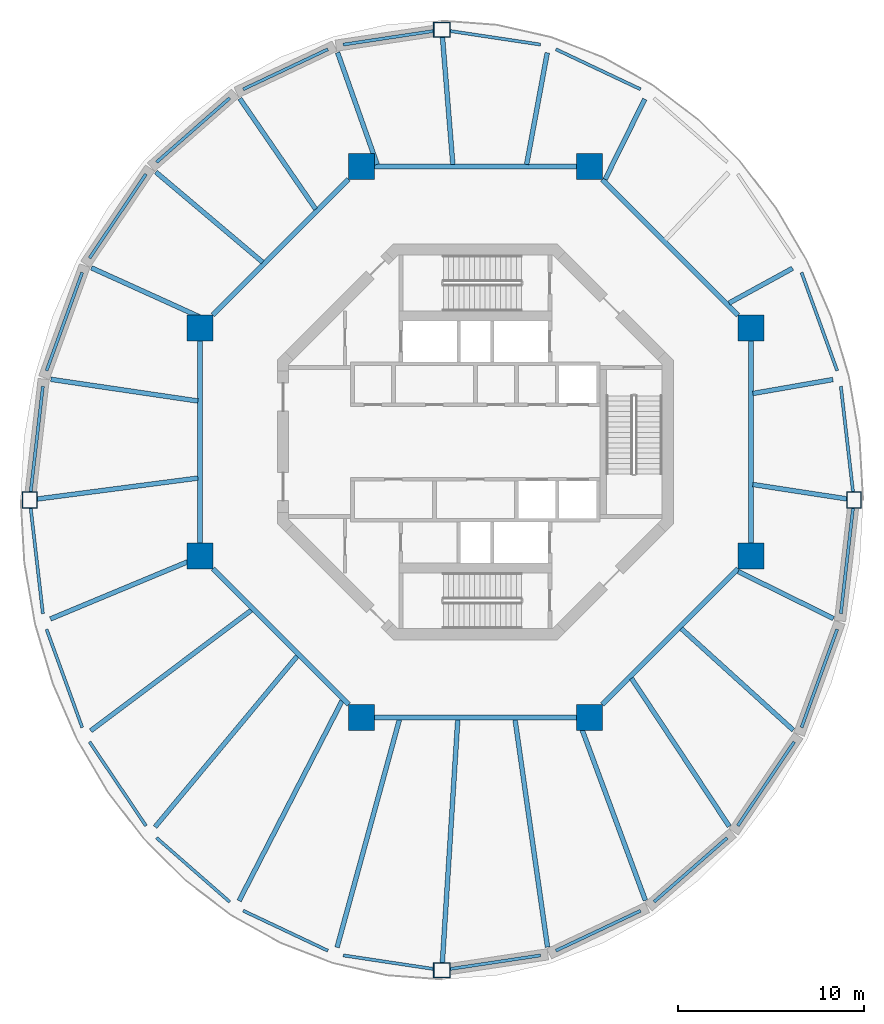
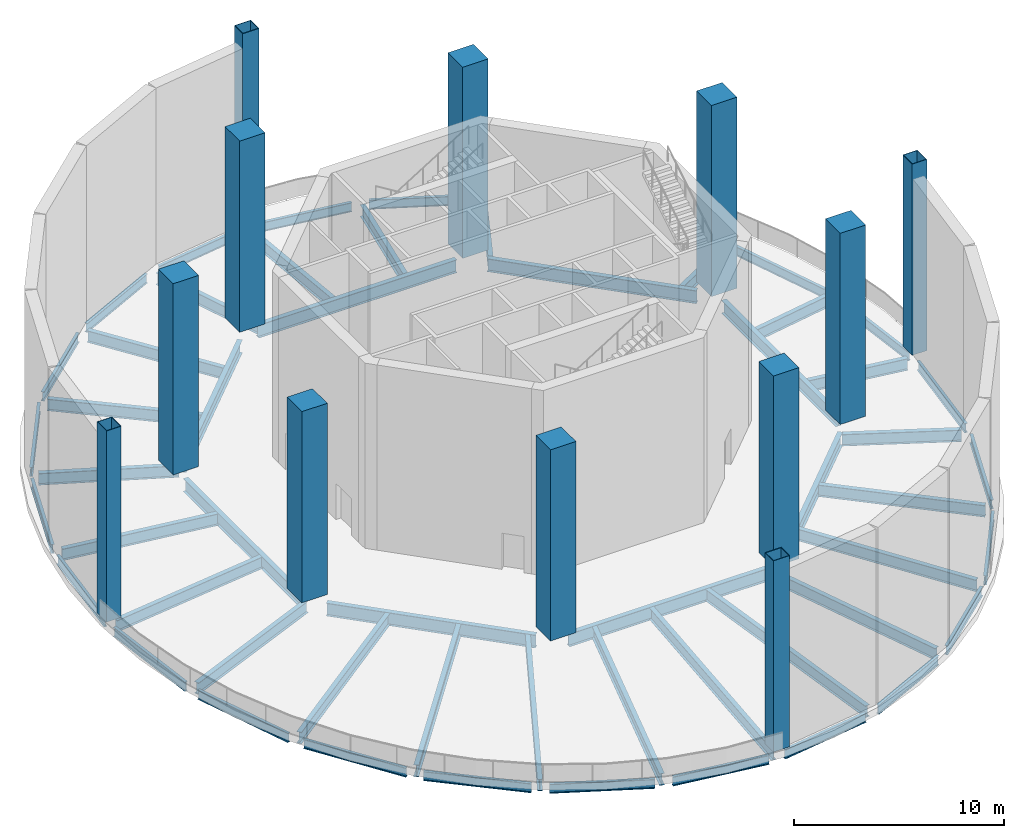
# One storey, part 1 of 7: 53 beams, 12 columns.
"""IFC4 building model written with IfcOpenShell, lengths in metres."""

from ifc_helpers import new_model, si_unit, direction, frame, origin, origin_2d, place, context, subcontext, project, spatial, rectangle, hollow_rectangle, i_section, extrude, material, material_profile, profile_set, type_object, element, save


model = new_model("IFC4")

# Units and contexts
model_context = context("Model", 3, precision=1e-05, world=origin(), true_north=direction((0.0, 1.0)))
body_context = subcontext(model_context, "Body", "Model", "MODEL_VIEW")
ifc_project = project(units=[si_unit("LENGTHUNIT", "METRE"), si_unit("AREAUNIT", "SQUARE_METRE"), si_unit("VOLUMEUNIT", "CUBIC_METRE"), si_unit("PLANEANGLEUNIT", "RADIAN"), si_unit("MASSUNIT", "GRAM", prefix="KILO")], contexts=[model_context])

# Site, building, storey
site_placement = place(None, origin())
site = spatial("IfcSite", under=ifc_project, at=site_placement, CompositionType="ELEMENT")
building_placement = place(site_placement, origin())
building = spatial("IfcBuilding", under=site, at=building_placement, Name="Nagisa Residences", CompositionType="ELEMENT")
storey_placement = place(building_placement, frame((0.0, 0.0, 299.199951171875)))
storey = spatial("IfcBuildingStorey", under=building, at=storey_placement, Name="L76", CompositionType="ELEMENT", Elevation=299.199951171875)

# Columns
ifc_material_1 = material(Name="Concrete C80", Category="concrete")
ifc_material_profile_1 = material_profile(ifc_material_1, rectangle(XDim=1.39990234375, YDim=1.39990234375, at=origin_2d()), Name="C80 1400x1400")
ifc_profile_set_1 = profile_set([ifc_material_profile_1], Name="Concrete C80")
column_type_1 = type_object("IfcColumnType", Name="Inner megacolumn C80 1400x1400", PredefinedType="COLUMN", material=ifc_profile_set_1)
for number, where, z_axis, x_axis, name in (
    (1, (14.781982421875, 6.123046875, 0.0), (0.0, 0.0, 1.0), (1.0, 0.0, 0.0), "col:L76:i1"),
    (2, (6.123046875, 14.781982421875, 0.0), (0.0, 0.0, 1.0), (1.0, 0.0, 0.0), "col:L76:i2"),
    (3, (-6.123046875, 14.781982421875, 0.0), (0.0, 0.0, 1.0), (1.0, 0.0, 0.0), "col:L76:i3"),
    (4, (-14.781982421875, 6.123046875, 0.0), (0.0, 0.0, 1.0), (1.0, 0.0, 0.0), "col:L76:i4"),
    (5, (-14.781982421875, -6.123046875, 0.0), (0.0, 0.0, 1.0), (1.0, 0.0, 0.0), "col:L76:i5"),
    (6, (-6.123046875, -14.781982421875, 0.0), (0.0, 0.0, 1.0), (1.0, 0.0, 0.0), "col:L76:i6"),
    (7, (6.123046875, -14.781982421875, 0.0), (0.0, 0.0, 1.0), (1.0, 0.0, 0.0), "col:L76:i7"),
    (8, (14.781982421875, -6.123046875, 0.0), (0.0, 0.0, 1.0), (1.0, 0.0, 0.0), "col:L76:i8"),
):
    element("IfcColumn", number, at=place(storey_placement, frame(where, z_axis=z_axis, x_axis=x_axis)), inside=storey, type_object=column_type_1, Name=name, PredefinedType="COLUMN", context=body_context, shape_type="SweptSolid", body=[
        extrude(rectangle(XDim=1.39990234375, YDim=1.39990234375, at=origin_2d()), origin(), (0.0, 0.0, 1.0), 11.10009765625),
    ])
ifc_material_2 = material(Name="Steel ASTM A572 Gr 50", Category="steel")
ifc_material_profile_2 = material_profile(ifc_material_2, hollow_rectangle(XDim=0.89990234375, YDim=0.800048828125, WallThickness=0.028076171875, at=origin_2d()), Name="BX 900x800x28")
ifc_profile_set_2 = profile_set([ifc_material_profile_2], Name="Steel ASTM A572 Gr 50")
column_type_2 = type_object("IfcColumnType", Name="Perimeter column BX 900x800x28", PredefinedType="COLUMN", material=ifc_profile_set_2)
for number, where, z_axis, x_axis, name in (
    (9, (20.320068359375, -3.11767578125, 0.0), (0.0, 0.0, 1.0), (0.0, 1.0, 0.0), "col:L76:p00"),
    (10, (-1.800048828125, 22.122314453125, 0.0), (0.0, 0.0, 1.0), (-1.0, 0.0, 0.0), "col:L76:p06"),
    (11, (-23.919921875, -3.11767578125, 0.0), (0.0, 0.0, 1.0), (0.0, -1.0, 0.0), "col:L76:p12"),
    (12, (-1.800048828125, -28.357666015625, 0.0), (0.0, 0.0, 1.0), (1.0, 0.0, 0.0), "col:L76:p18"),
):
    element("IfcColumn", number, at=place(storey_placement, frame(where, z_axis=z_axis, x_axis=x_axis)), inside=storey, type_object=column_type_2, Name=name, PredefinedType="COLUMN", context=body_context, shape_type="SweptSolid", body=[
        extrude(hollow_rectangle(XDim=0.89990234375, YDim=0.800048828125, WallThickness=0.028076171875, at=origin_2d()), origin(), (0.0, 0.0, 1.0), 11.10009765625),
    ])

# Beams
ifc_material_3 = material(Name="Steel ASTM A572 Gr 50", Category="steel")
ifc_material_profile_3 = material_profile(ifc_material_3, i_section(OverallWidth=0.264892578125, OverallDepth=0.7529296875, WebThickness=0.01318359375, FlangeThickness=0.01708984375, at=origin_2d()), Name="W760x147")
ifc_profile_set_3 = profile_set([ifc_material_profile_3], Name="Steel ASTM A572 Gr 50")
beam_type_1 = type_object("IfcBeamType", Name="Inner ring beam W760x147", PredefinedType="BEAM", material=ifc_profile_set_3)
beam_1_placement = place(storey_placement, frame((14.09619140625, 6.808837890625, -0.79638671875), z_axis=(-0.707106781187, 0.707106781187, 0.0), x_axis=(-0.707106781187, -0.707106781187, 0.0)))
element("IfcBeam", 13, at=beam_1_placement, inside=storey, type_object=beam_type_1, Name="beam:L76:ib1", PredefinedType="BEAM", context=body_context, shape_type="SweptSolid", body=[
    extrude(i_section(OverallWidth=0.264892578125, OverallDepth=0.7529296875, WebThickness=0.01318359375, FlangeThickness=0.01708984375, at=origin_2d()), origin(), (0.0, 0.0, 1.0), 10.305908203125),
])
beam_2_placement = place(storey_placement, frame((5.44287109375, 14.781982421875, -0.79638671875), z_axis=(-1.0, 0.0, 0.0), x_axis=(0.0, -1.0, 0.0)))
element("IfcBeam", 14, at=beam_2_placement, inside=storey, type_object=beam_type_1, Name="beam:L76:ib2", PredefinedType="BEAM", context=body_context, shape_type="SweptSolid", body=[
    extrude(i_section(OverallWidth=0.264892578125, OverallDepth=0.7529296875, WebThickness=0.01318359375, FlangeThickness=0.01708984375, at=origin_2d()), origin(), (0.0, 0.0, 1.0), 10.8857421875),
])
beam_3_placement = place(storey_placement, frame((-6.808837890625, 14.09619140625, -0.79638671875), z_axis=(-0.707106781187, -0.707106781187, 0.0), x_axis=(0.707106781187, -0.707106781187, 0.0)))
element("IfcBeam", 15, at=beam_3_placement, inside=storey, type_object=beam_type_1, Name="beam:L76:ib3", PredefinedType="BEAM", context=body_context, shape_type="SweptSolid", body=[
    extrude(i_section(OverallWidth=0.264892578125, OverallDepth=0.7529296875, WebThickness=0.01318359375, FlangeThickness=0.01708984375, at=origin_2d()), origin(), (0.0, 0.0, 1.0), 10.305908203125),
])
beam_4_placement = place(storey_placement, frame((-14.781982421875, 5.44287109375, -0.79638671875), z_axis=(0.0, -1.0, 0.0), x_axis=(1.0, 0.0, 0.0)))
element("IfcBeam", 16, at=beam_4_placement, inside=storey, type_object=beam_type_1, Name="beam:L76:ib4", PredefinedType="BEAM", context=body_context, shape_type="SweptSolid", body=[
    extrude(i_section(OverallWidth=0.264892578125, OverallDepth=0.7529296875, WebThickness=0.01318359375, FlangeThickness=0.01708984375, at=origin_2d()), origin(), (0.0, 0.0, 1.0), 10.8857421875),
])
beam_5_placement = place(storey_placement, frame((-14.09619140625, -6.808837890625, -0.79638671875), z_axis=(0.707106781187, -0.707106781187, 0.0), x_axis=(0.707106781187, 0.707106781187, 0.0)))
element("IfcBeam", 17, at=beam_5_placement, inside=storey, type_object=beam_type_1, Name="beam:L76:ib5", PredefinedType="BEAM", context=body_context, shape_type="SweptSolid", body=[
    extrude(i_section(OverallWidth=0.264892578125, OverallDepth=0.7529296875, WebThickness=0.01318359375, FlangeThickness=0.01708984375, at=origin_2d()), origin(), (0.0, 0.0, 1.0), 10.305908203125),
])
beam_6_placement = place(storey_placement, frame((-5.44287109375, -14.781982421875, -0.79638671875), z_axis=(1.0, 0.0, 0.0), x_axis=(0.0, 1.0, 0.0)))
element("IfcBeam", 18, at=beam_6_placement, inside=storey, type_object=beam_type_1, Name="beam:L76:ib6", PredefinedType="BEAM", context=body_context, shape_type="SweptSolid", body=[
    extrude(i_section(OverallWidth=0.264892578125, OverallDepth=0.7529296875, WebThickness=0.01318359375, FlangeThickness=0.01708984375, at=origin_2d()), origin(), (0.0, 0.0, 1.0), 10.8857421875),
])
beam_7_placement = place(storey_placement, frame((6.808837890625, -14.09619140625, -0.79638671875), z_axis=(0.707106781187, 0.707106781187, 0.0), x_axis=(-0.707106781187, 0.707106781187, 0.0)))
element("IfcBeam", 19, at=beam_7_placement, inside=storey, type_object=beam_type_1, Name="beam:L76:ib7", PredefinedType="BEAM", context=body_context, shape_type="SweptSolid", body=[
    extrude(i_section(OverallWidth=0.264892578125, OverallDepth=0.7529296875, WebThickness=0.01318359375, FlangeThickness=0.01708984375, at=origin_2d()), origin(), (0.0, 0.0, 1.0), 10.305908203125),
])
beam_8_placement = place(storey_placement, frame((14.781982421875, -5.44287109375, -0.79638671875), z_axis=(0.0, 1.0, 0.0), x_axis=(-1.0, 0.0, 0.0)))
element("IfcBeam", 20, at=beam_8_placement, inside=storey, type_object=beam_type_1, Name="beam:L76:ib8", PredefinedType="BEAM", context=body_context, shape_type="SweptSolid", body=[
    extrude(i_section(OverallWidth=0.264892578125, OverallDepth=0.7529296875, WebThickness=0.01318359375, FlangeThickness=0.01708984375, at=origin_2d()), origin(), (0.0, 0.0, 1.0), 10.8857421875),
])
ifc_material_4 = material(Name="Steel ASTM A572 Gr 50", Category="steel")
ifc_material_profile_4 = material_profile(ifc_material_4, i_section(OverallWidth=0.166015625, OverallDepth=0.534912109375, WebThickness=0.01025390625, FlangeThickness=0.0166015625, at=origin_2d()), Name="W530x85")
ifc_profile_set_4 = profile_set([ifc_material_profile_4], Name="Steel ASTM A572 Gr 50")
beam_type_2 = type_object("IfcBeamType", Name="Perimeter ring beam W530x85", PredefinedType="BEAM", material=ifc_profile_set_4)
beam_9_placement = place(storey_placement, frame((20.270263671875, -2.6875, -0.6875), z_axis=(-0.114593271741, 0.993412493414, 0.0), x_axis=(-0.993412493414, -0.114593271741, 0.0)))
element("IfcBeam", 21, at=beam_9_placement, inside=storey, type_object=beam_type_2, Name="beam:L76:pb01", PredefinedType="BEAM", context=body_context, shape_type="SweptSolid", body=[
    extrude(i_section(OverallWidth=0.166015625, OverallDepth=0.534912109375, WebThickness=0.01025390625, FlangeThickness=0.0166015625, at=origin_2d()), origin(), (0.0, 0.0, 1.0), 5.709716796875),
])
beam_10_placement = place(storey_placement, frame((19.41845703125, 3.822021484375, -0.6875), z_axis=(-0.341211850477, 0.93998642176, 0.0), x_axis=(-0.93998642176, -0.341211850477, 0.0)))
element("IfcBeam", 22, at=beam_10_placement, inside=storey, type_object=beam_type_2, Name="beam:L76:pb02", PredefinedType="BEAM", context=body_context, shape_type="SweptSolid", body=[
    extrude(i_section(OverallWidth=0.166015625, OverallDepth=0.534912109375, WebThickness=0.01025390625, FlangeThickness=0.0166015625, at=origin_2d()), origin(), (0.0, 0.0, 1.0), 5.609619140625),
])
beam_11_placement = place(storey_placement, frame((8.8671875, 18.926513671875, -0.6875), z_axis=(-0.904115893837, 0.427287316113, 0.0), x_axis=(-0.427287316113, -0.904115893837, 0.0)))
element("IfcBeam", 23, at=beam_11_placement, inside=storey, type_object=beam_type_2, Name="beam:L76:pb05", PredefinedType="BEAM", context=body_context, shape_type="SweptSolid", body=[
    extrude(i_section(OverallWidth=0.166015625, OverallDepth=0.534912109375, WebThickness=0.01025390625, FlangeThickness=0.0166015625, at=origin_2d()), origin(), (0.0, 0.0, 1.0), 5.031494140625),
])
beam_12_placement = place(storey_placement, frame((3.4951171875, 21.326904296875, -0.6875), z_axis=(-0.988907577601, 0.148532161377, 0.0), x_axis=(-0.148532161377, -0.988907577601, 0.0)))
element("IfcBeam", 24, at=beam_12_placement, inside=storey, type_object=beam_type_2, Name="beam:L76:pb06", PredefinedType="BEAM", context=body_context, shape_type="SweptSolid", body=[
    extrude(i_section(OverallWidth=0.166015625, OverallDepth=0.534912109375, WebThickness=0.01025390625, FlangeThickness=0.0166015625, at=origin_2d()), origin(), (0.0, 0.0, 1.0), 4.919677734375),
])
beam_13_placement = place(storey_placement, frame((-2.230224609375, 22.0576171875, -0.6875), z_axis=(-0.98890648267, -0.148539451101, 0.0), x_axis=(0.148539451101, -0.98890648267, 0.0)))
element("IfcBeam", 25, at=beam_13_placement, inside=storey, type_object=beam_type_2, Name="beam:L76:pb07", PredefinedType="BEAM", context=body_context, shape_type="SweptSolid", body=[
    extrude(i_section(OverallWidth=0.166015625, OverallDepth=0.534912109375, WebThickness=0.01025390625, FlangeThickness=0.0166015625, at=origin_2d()), origin(), (0.0, 0.0, 1.0), 4.91943359375),
])
beam_14_placement = place(storey_placement, frame((-7.918212890625, 21.076416015625, -0.6875), z_axis=(-0.904115893837, -0.427287316113, 0.0), x_axis=(0.427287316113, -0.904115893837, 0.0)))
element("IfcBeam", 26, at=beam_14_placement, inside=storey, type_object=beam_type_2, Name="beam:L76:pb08", PredefinedType="BEAM", context=body_context, shape_type="SweptSolid", body=[
    extrude(i_section(OverallWidth=0.166015625, OverallDepth=0.534912109375, WebThickness=0.01025390625, FlangeThickness=0.0166015625, at=origin_2d()), origin(), (0.0, 0.0, 1.0), 5.031494140625),
])
beam_15_placement = place(storey_placement, frame((-13.186767578125, 18.45458984375, -0.6875), z_axis=(-0.752365189148, -0.658746250204, 0.0), x_axis=(0.658746250204, -0.752365189148, 0.0)))
element("IfcBeam", 27, at=beam_15_placement, inside=storey, type_object=beam_type_2, Name="beam:L76:pb09", PredefinedType="BEAM", context=body_context, shape_type="SweptSolid", body=[
    extrude(i_section(OverallWidth=0.166015625, OverallDepth=0.534912109375, WebThickness=0.01025390625, FlangeThickness=0.0166015625, at=origin_2d()), origin(), (0.0, 0.0, 1.0), 5.220947265625),
])
beam_16_placement = place(storey_placement, frame((-17.683349609375, 14.36962890625, -0.6875), z_axis=(-0.558035477156, -0.829817092036, 0.0), x_axis=(0.829817092036, -0.558035477156, 0.0)))
element("IfcBeam", 28, at=beam_16_placement, inside=storey, type_object=beam_type_2, Name="beam:L76:pb10", PredefinedType="BEAM", context=body_context, shape_type="SweptSolid", body=[
    extrude(i_section(OverallWidth=0.166015625, OverallDepth=0.534912109375, WebThickness=0.01025390625, FlangeThickness=0.0166015625, at=origin_2d()), origin(), (0.0, 0.0, 1.0), 5.431884765625),
])
beam_17_placement = place(storey_placement, frame((-21.104248046875, 9.094970703125, -0.6875), z_axis=(-0.341250304478, -0.9399724622, 0.0), x_axis=(0.9399724622, -0.341250304478, 0.0)))
element("IfcBeam", 29, at=beam_17_placement, inside=storey, type_object=beam_type_2, Name="beam:L76:pb11", PredefinedType="BEAM", context=body_context, shape_type="SweptSolid", body=[
    extrude(i_section(OverallWidth=0.166015625, OverallDepth=0.534912109375, WebThickness=0.01025390625, FlangeThickness=0.0166015625, at=origin_2d()), origin(), (0.0, 0.0, 1.0), 5.609619140625),
])
for number, where, z_axis, x_axis, name in (
    (30, (-23.2158203125, 2.984619140625, -0.6875), (-0.114635468623, -0.993407624962, 0.0), (0.993407624962, -0.114635468623, 0.0), "beam:L76:pb12"),
    (31, (-23.870361328125, -3.5478515625, -0.6875), (0.114635468623, -0.993407624962, 0.0), (0.993407624962, 0.114635468623, 0.0), "beam:L76:pb13"),
):
    element("IfcBeam", number, at=place(storey_placement, frame(where, z_axis=z_axis, x_axis=x_axis)), inside=storey, type_object=beam_type_2, Name=name, PredefinedType="BEAM", context=body_context, shape_type="SweptSolid", body=[
        extrude(i_section(OverallWidth=0.166015625, OverallDepth=0.534912109375, WebThickness=0.01025390625, FlangeThickness=0.0166015625, at=origin_2d()), origin(), (0.0, 0.0, 1.0), 5.709716796875),
    ])
beam_18_placement = place(storey_placement, frame((-23.0185546875, -10.057373046875, -0.6875), z_axis=(0.341250304478, -0.9399724622, 0.0), x_axis=(0.9399724622, 0.341250304478, 0.0)))
element("IfcBeam", 32, at=beam_18_placement, inside=storey, type_object=beam_type_2, Name="beam:L76:pb14", PredefinedType="BEAM", context=body_context, shape_type="SweptSolid", body=[
    extrude(i_section(OverallWidth=0.166015625, OverallDepth=0.534912109375, WebThickness=0.01025390625, FlangeThickness=0.0166015625, at=origin_2d()), origin(), (0.0, 0.0, 1.0), 5.609619140625),
])
beam_19_placement = place(storey_placement, frame((-20.714599609375, -16.097412109375, -0.6875), z_axis=(0.558014665254, -0.829831087247, 0.0), x_axis=(0.829831087247, 0.558014665254, 0.0)))
element("IfcBeam", 33, at=beam_19_placement, inside=storey, type_object=beam_type_2, Name="beam:L76:pb15", PredefinedType="BEAM", context=body_context, shape_type="SweptSolid", body=[
    extrude(i_section(OverallWidth=0.166015625, OverallDepth=0.534912109375, WebThickness=0.01025390625, FlangeThickness=0.0166015625, at=origin_2d()), origin(), (0.0, 0.0, 1.0), 5.43212890625),
])
beam_20_placement = place(storey_placement, frame((-17.11474609375, -21.2509765625, -0.6875), z_axis=(0.752365189148, -0.658746250204, 0.0), x_axis=(0.658746250204, 0.752365189148, 0.0)))
element("IfcBeam", 34, at=beam_20_placement, inside=storey, type_object=beam_type_2, Name="beam:L76:pb16", PredefinedType="BEAM", context=body_context, shape_type="SweptSolid", body=[
    extrude(i_section(OverallWidth=0.166015625, OverallDepth=0.534912109375, WebThickness=0.01025390625, FlangeThickness=0.0166015625, at=origin_2d()), origin(), (0.0, 0.0, 1.0), 5.220947265625),
])
beam_21_placement = place(storey_placement, frame((-12.46728515625, -25.161865234375, -0.6875), z_axis=(0.904115893837, -0.427287316113, 0.0), x_axis=(0.427287316113, 0.904115893837, 0.0)))
element("IfcBeam", 35, at=beam_21_placement, inside=storey, type_object=beam_type_2, Name="beam:L76:pb17", PredefinedType="BEAM", context=body_context, shape_type="SweptSolid", body=[
    extrude(i_section(OverallWidth=0.166015625, OverallDepth=0.534912109375, WebThickness=0.01025390625, FlangeThickness=0.0166015625, at=origin_2d()), origin(), (0.0, 0.0, 1.0), 5.031494140625),
])
beam_22_placement = place(storey_placement, frame((-7.094970703125, -27.562255859375, -0.6875), z_axis=(0.98890648267, -0.148539451101, 0.0), x_axis=(0.148539451101, 0.98890648267, 0.0)))
element("IfcBeam", 36, at=beam_22_placement, inside=storey, type_object=beam_type_2, Name="beam:L76:pb18", PredefinedType="BEAM", context=body_context, shape_type="SweptSolid", body=[
    extrude(i_section(OverallWidth=0.166015625, OverallDepth=0.534912109375, WebThickness=0.01025390625, FlangeThickness=0.0166015625, at=origin_2d()), origin(), (0.0, 0.0, 1.0), 4.91943359375),
])
beam_23_placement = place(storey_placement, frame((-1.369873046875, -28.29296875, -0.6875), z_axis=(0.988907577601, 0.148532161377, 0.0), x_axis=(-0.148532161377, 0.988907577601, 0.0)))
element("IfcBeam", 37, at=beam_23_placement, inside=storey, type_object=beam_type_2, Name="beam:L76:pb19", PredefinedType="BEAM", context=body_context, shape_type="SweptSolid", body=[
    extrude(i_section(OverallWidth=0.166015625, OverallDepth=0.534912109375, WebThickness=0.01025390625, FlangeThickness=0.0166015625, at=origin_2d()), origin(), (0.0, 0.0, 1.0), 4.919677734375),
])
beam_24_placement = place(storey_placement, frame((4.318115234375, -27.311767578125, -0.6875), z_axis=(0.904115893837, 0.427287316113, 0.0), x_axis=(-0.427287316113, 0.904115893837, 0.0)))
element("IfcBeam", 38, at=beam_24_placement, inside=storey, type_object=beam_type_2, Name="beam:L76:pb20", PredefinedType="BEAM", context=body_context, shape_type="SweptSolid", body=[
    extrude(i_section(OverallWidth=0.166015625, OverallDepth=0.534912109375, WebThickness=0.01025390625, FlangeThickness=0.0166015625, at=origin_2d()), origin(), (0.0, 0.0, 1.0), 5.031494140625),
])
beam_25_placement = place(storey_placement, frame((9.586669921875, -24.690185546875, -0.6875), z_axis=(0.752385480596, 0.658723074279, 0.0), x_axis=(-0.658723074279, 0.752385480596, 0.0)))
element("IfcBeam", 39, at=beam_25_placement, inside=storey, type_object=beam_type_2, Name="beam:L76:pb21", PredefinedType="BEAM", context=body_context, shape_type="SweptSolid", body=[
    extrude(i_section(OverallWidth=0.166015625, OverallDepth=0.534912109375, WebThickness=0.01025390625, FlangeThickness=0.0166015625, at=origin_2d()), origin(), (0.0, 0.0, 1.0), 5.220947265625),
])
beam_26_placement = place(storey_placement, frame((14.083251953125, -20.605224609375, -0.6875), z_axis=(0.558045612854, 0.829810275891, 0.0), x_axis=(-0.829810275891, 0.558045612854, 0.0)))
element("IfcBeam", 40, at=beam_26_placement, inside=storey, type_object=beam_type_2, Name="beam:L76:pb22", PredefinedType="BEAM", context=body_context, shape_type="SweptSolid", body=[
    extrude(i_section(OverallWidth=0.166015625, OverallDepth=0.534912109375, WebThickness=0.01025390625, FlangeThickness=0.0166015625, at=origin_2d()), origin(), (0.0, 0.0, 1.0), 5.432373046875),
])
beam_27_placement = place(storey_placement, frame((17.50439453125, -15.330322265625, -0.6875), z_axis=(0.341211850477, 0.93998642176, 0.0), x_axis=(-0.93998642176, 0.341211850477, 0.0)))
element("IfcBeam", 41, at=beam_27_placement, inside=storey, type_object=beam_type_2, Name="beam:L76:pb23", PredefinedType="BEAM", context=body_context, shape_type="SweptSolid", body=[
    extrude(i_section(OverallWidth=0.166015625, OverallDepth=0.534912109375, WebThickness=0.01025390625, FlangeThickness=0.0166015625, at=origin_2d()), origin(), (0.0, 0.0, 1.0), 5.609619140625),
])
beam_28_placement = place(storey_placement, frame((19.615966796875, -9.219970703125, -0.6875), z_axis=(0.114593271741, 0.993412493414, 0.0), x_axis=(-0.993412493414, 0.114593271741, 0.0)))
element("IfcBeam", 42, at=beam_28_placement, inside=storey, type_object=beam_type_2, Name="beam:L76:pb24", PredefinedType="BEAM", context=body_context, shape_type="SweptSolid", body=[
    extrude(i_section(OverallWidth=0.166015625, OverallDepth=0.534912109375, WebThickness=0.01025390625, FlangeThickness=0.0166015625, at=origin_2d()), origin(), (0.0, 0.0, 1.0), 5.709716796875),
])
ifc_material_5 = material(Name="Steel ASTM A572 Gr 50", Category="steel")
ifc_material_profile_5 = material_profile(ifc_material_5, i_section(OverallWidth=0.2529296875, OverallDepth=0.677978515625, WebThickness=0.01171875, FlangeThickness=0.016357421875, at=origin_2d()), Name="W690x125")
ifc_profile_set_5 = profile_set([ifc_material_profile_5], Name="Steel ASTM A572 Gr 50")
beam_type_3 = type_object("IfcBeamType", Name="Radial beam W690x125", PredefinedType="BEAM", material=ifc_profile_set_5)
beam_29_placement = place(storey_placement, frame((19.939697265625, -3.059326171875, -0.759033203125), z_axis=(-0.988436859636, 0.151633025796, 0.0), x_axis=(-0.151633025796, -0.988436859636, 0.0)))
element("IfcBeam", 43, at=beam_29_placement, inside=storey, type_object=beam_type_3, Name="beam:L76:rb01", PredefinedType="BEAM", context=body_context, shape_type="SweptSolid", body=[
    extrude(i_section(OverallWidth=0.2529296875, OverallDepth=0.677978515625, WebThickness=0.01171875, FlangeThickness=0.016357421875, at=origin_2d()), origin(), (0.0, 0.0, 1.0), 5.10400390625),
])
beam_30_placement = place(storey_placement, frame((19.191162109375, 3.349365234375, -0.759033203125), z_axis=(-0.985112574837, -0.17191048513, 0.0), x_axis=(0.17191048513, -0.985112574837, 0.0)))
element("IfcBeam", 44, at=beam_30_placement, inside=storey, type_object=beam_type_3, Name="beam:L76:rb02", PredefinedType="BEAM", context=body_context, shape_type="SweptSolid", body=[
    extrude(i_section(OverallWidth=0.2529296875, OverallDepth=0.677978515625, WebThickness=0.01171875, FlangeThickness=0.016357421875, at=origin_2d()), origin(), (0.0, 0.0, 1.0), 4.361328125),
])
beam_31_placement = place(storey_placement, frame((17.02294921875, 9.31982421875, -0.759033203125), z_axis=(-0.877140982436, -0.480232961105, 0.0), x_axis=(0.480232961105, -0.877140982436, 0.0)))
element("IfcBeam", 45, at=beam_31_placement, inside=storey, type_object=beam_type_3, Name="beam:L76:rb03", PredefinedType="BEAM", context=body_context, shape_type="SweptSolid", body=[
    extrude(i_section(OverallWidth=0.2529296875, OverallDepth=0.677978515625, WebThickness=0.01171875, FlangeThickness=0.016357421875, at=origin_2d()), origin(), (0.0, 0.0, 1.0), 3.88818359375),
])
beam_32_placement = place(storey_placement, frame((9.09033203125, 18.3974609375, -0.759033203125), z_axis=(-0.442971854775, -0.896535518469, 0.0), x_axis=(0.896535518469, -0.442971854775, 0.0)))
element("IfcBeam", 46, at=beam_32_placement, inside=storey, type_object=beam_type_3, Name="beam:L76:rb05", PredefinedType="BEAM", context=body_context, shape_type="SweptSolid", body=[
    extrude(i_section(OverallWidth=0.2529296875, OverallDepth=0.677978515625, WebThickness=0.01171875, FlangeThickness=0.016357421875, at=origin_2d()), origin(), (0.0, 0.0, 1.0), 4.79443359375),
])
beam_33_placement = place(storey_placement, frame((3.855712890625, 20.885986328125, -0.759033203125), z_axis=(-0.181536747705, -0.983384161573, 0.0), x_axis=(0.983384161573, -0.181536747705, 0.0)))
element("IfcBeam", 47, at=beam_33_placement, inside=storey, type_object=beam_type_3, Name="beam:L76:rb06", PredefinedType="BEAM", context=body_context, shape_type="SweptSolid", body=[
    extrude(i_section(OverallWidth=0.2529296875, OverallDepth=0.677978515625, WebThickness=0.01171875, FlangeThickness=0.016357421875, at=origin_2d()), origin(), (0.0, 0.0, 1.0), 6.09228515625),
])
beam_34_placement = place(storey_placement, frame((-1.76904296875, 21.7421875, -0.759033203125), z_axis=(0.081092569965, -0.996706574222, 0.0), x_axis=(0.996706574222, 0.081092569965, 0.0)))
element("IfcBeam", 48, at=beam_34_placement, inside=storey, type_object=beam_type_3, Name="beam:L76:rb07", PredefinedType="BEAM", context=body_context, shape_type="SweptSolid", body=[
    extrude(i_section(OverallWidth=0.2529296875, OverallDepth=0.677978515625, WebThickness=0.01171875, FlangeThickness=0.016357421875, at=origin_2d()), origin(), (0.0, 0.0, 1.0), 6.870361328125),
])
beam_35_placement = place(storey_placement, frame((-7.398193359375, 20.903564453125, -0.759033203125), z_axis=(0.333665596208, -0.942691503042, 0.0), x_axis=(0.942691503042, 0.333665596208, 0.0)))
element("IfcBeam", 49, at=beam_35_placement, inside=storey, type_object=beam_type_3, Name="beam:L76:rb08", PredefinedType="BEAM", context=body_context, shape_type="SweptSolid", body=[
    extrude(i_section(OverallWidth=0.2529296875, OverallDepth=0.677978515625, WebThickness=0.01171875, FlangeThickness=0.016357421875, at=origin_2d()), origin(), (0.0, 0.0, 1.0), 6.373046875),
])
beam_36_placement = place(storey_placement, frame((-12.64501953125, 18.427490234375, -0.759033203125), z_axis=(0.565811752689, -0.824534450778, 0.0), x_axis=(0.824534450778, 0.565811752689, 0.0)))
element("IfcBeam", 50, at=beam_36_placement, inside=storey, type_object=beam_type_3, Name="beam:L76:rb09", PredefinedType="BEAM", context=body_context, shape_type="SweptSolid", body=[
    extrude(i_section(OverallWidth=0.2529296875, OverallDepth=0.677978515625, WebThickness=0.01171875, FlangeThickness=0.016357421875, at=origin_2d()), origin(), (0.0, 0.0, 1.0), 7.197998046875),
])
beam_37_placement = place(storey_placement, frame((-17.15087890625, 14.484375, -0.759033203125), z_axis=(0.763989627991, -0.645228524108, 0.0), x_axis=(0.645228524108, 0.763989627991, 0.0)))
element("IfcBeam", 51, at=beam_37_placement, inside=storey, type_object=beam_type_3, Name="beam:L76:rb10", PredefinedType="BEAM", context=body_context, shape_type="SweptSolid", body=[
    extrude(i_section(OverallWidth=0.2529296875, OverallDepth=0.677978515625, WebThickness=0.01171875, FlangeThickness=0.016357421875, at=origin_2d()), origin(), (0.0, 0.0, 1.0), 7.50146484375),
])
beam_38_placement = place(storey_placement, frame((-20.610107421875, 9.34521484375, -0.759033203125), z_axis=(0.910753279396, -0.412950922108, 0.0), x_axis=(0.412950922108, 0.910753279396, 0.0)))
element("IfcBeam", 52, at=beam_38_placement, inside=storey, type_object=beam_type_3, Name="beam:L76:rb11", PredefinedType="BEAM", context=body_context, shape_type="SweptSolid", body=[
    extrude(i_section(OverallWidth=0.2529296875, OverallDepth=0.677978515625, WebThickness=0.01171875, FlangeThickness=0.016357421875, at=origin_2d()), origin(), (0.0, 0.0, 1.0), 6.715576171875),
])
beam_39_placement = place(storey_placement, frame((-22.788818359375, 3.359375, -0.759033203125), z_axis=(0.98930621929, -0.145853366344, 0.0), x_axis=(0.145853366344, 0.98930621929, 0.0)))
element("IfcBeam", 53, at=beam_39_placement, inside=storey, type_object=beam_type_3, Name="beam:L76:rb12", PredefinedType="BEAM", context=body_context, shape_type="SweptSolid", body=[
    extrude(i_section(OverallWidth=0.2529296875, OverallDepth=0.677978515625, WebThickness=0.01171875, FlangeThickness=0.016357421875, at=origin_2d()), origin(), (0.0, 0.0, 1.0), 7.9794921875),
])
beam_40_placement = place(storey_placement, frame((-23.539794921875, -3.068115234375, -0.759033203125), z_axis=(0.99161367913, 0.129237422456, 0.0), x_axis=(-0.129237422456, 0.99161367913, 0.0)))
element("IfcBeam", 54, at=beam_40_placement, inside=storey, type_object=beam_type_3, Name="beam:L76:rb13", PredefinedType="BEAM", context=body_context, shape_type="SweptSolid", body=[
    extrude(i_section(OverallWidth=0.2529296875, OverallDepth=0.677978515625, WebThickness=0.01171875, FlangeThickness=0.016357421875, at=origin_2d()), origin(), (0.0, 0.0, 1.0), 8.718017578125),
])
beam_41_placement = place(storey_placement, frame((-22.810546875, -9.502197265625, -0.759033203125), z_axis=(0.923102955984, 0.384552899681, 0.0), x_axis=(-0.384552899681, 0.923102955984, 0.0)))
element("IfcBeam", 55, at=beam_41_placement, inside=storey, type_object=beam_type_3, Name="beam:L76:rb14", PredefinedType="BEAM", context=body_context, shape_type="SweptSolid", body=[
    extrude(i_section(OverallWidth=0.2529296875, OverallDepth=0.677978515625, WebThickness=0.01171875, FlangeThickness=0.016357421875, at=origin_2d()), origin(), (0.0, 0.0, 1.0), 8.6005859375),
])
beam_42_placement = place(storey_placement, frame((-20.647705078125, -15.505859375, -0.759033203125), z_axis=(0.799624700987, 0.600500072915, 0.0), x_axis=(-0.600500072915, 0.799624700987, 0.0)))
element("IfcBeam", 56, at=beam_42_placement, inside=storey, type_object=beam_type_3, Name="beam:L76:rb15", PredefinedType="BEAM", context=body_context, shape_type="SweptSolid", body=[
    extrude(i_section(OverallWidth=0.2529296875, OverallDepth=0.677978515625, WebThickness=0.01171875, FlangeThickness=0.016357421875, at=origin_2d()), origin(), (0.0, 0.0, 1.0), 10.777099609375),
])
beam_43_placement = place(storey_placement, frame((-17.195068359375, -20.669189453125, -0.759033203125), z_axis=(0.639550083404, 0.768749433052, 0.0), x_axis=(-0.768749433052, 0.639550083404, 0.0)))
element("IfcBeam", 57, at=beam_43_placement, inside=storey, type_object=beam_type_3, Name="beam:L76:rb16", PredefinedType="BEAM", context=body_context, shape_type="SweptSolid", body=[
    extrude(i_section(OverallWidth=0.2529296875, OverallDepth=0.677978515625, WebThickness=0.01171875, FlangeThickness=0.016357421875, at=origin_2d()), origin(), (0.0, 0.0, 1.0), 11.92919921875),
])
beam_44_placement = place(storey_placement, frame((-12.68505859375, -24.63623046875, -0.759033203125), z_axis=(0.457773473612, 0.889068865082, 0.0), x_axis=(-0.889068865082, 0.457773473612, 0.0)))
element("IfcBeam", 58, at=beam_44_placement, inside=storey, type_object=beam_type_3, Name="beam:L76:rb17", PredefinedType="BEAM", context=body_context, shape_type="SweptSolid", body=[
    extrude(i_section(OverallWidth=0.2529296875, OverallDepth=0.677978515625, WebThickness=0.01171875, FlangeThickness=0.016357421875, at=origin_2d()), origin(), (0.0, 0.0, 1.0), 12.069580078125),
])
beam_45_placement = place(storey_placement, frame((-7.4248046875, -27.130859375, -0.759033203125), z_axis=(0.263972249954, 0.964530274929, 0.0), x_axis=(-0.964530274929, 0.263972249954, 0.0)))
element("IfcBeam", 59, at=beam_45_placement, inside=storey, type_object=beam_type_3, Name="beam:L76:rb18", PredefinedType="BEAM", context=body_context, shape_type="SweptSolid", body=[
    extrude(i_section(OverallWidth=0.2529296875, OverallDepth=0.677978515625, WebThickness=0.01171875, FlangeThickness=0.016357421875, at=origin_2d()), origin(), (0.0, 0.0, 1.0), 12.685546875),
])
beam_46_placement = place(storey_placement, frame((-1.77587890625, -27.9775390625, -0.759033203125), z_axis=(0.063356818191, 0.997990938631, 0.0), x_axis=(-0.997990938631, 0.063356818191, 0.0)))
element("IfcBeam", 60, at=beam_46_placement, inside=storey, type_object=beam_type_3, Name="beam:L76:rb19", PredefinedType="BEAM", context=body_context, shape_type="SweptSolid", body=[
    extrude(i_section(OverallWidth=0.2529296875, OverallDepth=0.677978515625, WebThickness=0.01171875, FlangeThickness=0.016357421875, at=origin_2d()), origin(), (0.0, 0.0, 1.0), 13.109375),
])
beam_47_placement = place(storey_placement, frame((3.87060546875, -27.11669921875, -0.759033203125), z_axis=(-0.1412940026, 0.989967678679, 0.0), x_axis=(-0.989967678679, -0.1412940026, 0.0)))
element("IfcBeam", 61, at=beam_47_placement, inside=storey, type_object=beam_type_3, Name="beam:L76:rb20", PredefinedType="BEAM", context=body_context, shape_type="SweptSolid", body=[
    extrude(i_section(OverallWidth=0.2529296875, OverallDepth=0.677978515625, WebThickness=0.01171875, FlangeThickness=0.016357421875, at=origin_2d()), origin(), (0.0, 0.0, 1.0), 12.345703125),
])
beam_48_placement = place(storey_placement, frame((9.124267578125, -24.610107421875, -0.759033203125), z_axis=(-0.34762439984, 0.937633871314, 0.0), x_axis=(-0.937633871314, -0.34762439984, 0.0)))
element("IfcBeam", 62, at=beam_48_placement, inside=storey, type_object=beam_type_3, Name="beam:L76:rb21", PredefinedType="BEAM", context=body_context, shape_type="SweptSolid", body=[
    extrude(i_section(OverallWidth=0.2529296875, OverallDepth=0.677978515625, WebThickness=0.01171875, FlangeThickness=0.016357421875, at=origin_2d()), origin(), (0.0, 0.0, 1.0), 10.360595703125),
])
beam_49_placement = place(storey_placement, frame((13.623779296875, -20.6357421875, -0.759033203125), z_axis=(-0.550955773217, 0.834534442644, 0.0), x_axis=(-0.834534442644, -0.550955773217, 0.0)))
element("IfcBeam", 63, at=beam_49_placement, inside=storey, type_object=beam_type_3, Name="beam:L76:rb22", PredefinedType="BEAM", context=body_context, shape_type="SweptSolid", body=[
    extrude(i_section(OverallWidth=0.2529296875, OverallDepth=0.677978515625, WebThickness=0.01171875, FlangeThickness=0.016357421875, at=origin_2d()), origin(), (0.0, 0.0, 1.0), 9.523681640625),
])
beam_50_placement = place(storey_placement, frame((17.064208984375, -15.47265625, -0.759033203125), z_axis=(-0.740800429034, 0.671725185134, 0.0), x_axis=(-0.671725185134, -0.740800429034, 0.0)))
element("IfcBeam", 64, at=beam_50_placement, inside=storey, type_object=beam_type_3, Name="beam:L76:rb23", PredefinedType="BEAM", context=body_context, shape_type="SweptSolid", body=[
    extrude(i_section(OverallWidth=0.2529296875, OverallDepth=0.677978515625, WebThickness=0.01171875, FlangeThickness=0.016357421875, at=origin_2d()), origin(), (0.0, 0.0, 1.0), 8.1220703125),
])
beam_51_placement = place(storey_placement, frame((19.216064453125, -9.4775390625, -0.759033203125), z_axis=(-0.896848509924, 0.442337823667, 0.0), x_axis=(-0.442337823667, -0.896848509924, 0.0)))
element("IfcBeam", 65, at=beam_51_placement, inside=storey, type_object=beam_type_3, Name="beam:L76:rb24", PredefinedType="BEAM", context=body_context, shape_type="SweptSolid", body=[
    extrude(i_section(OverallWidth=0.2529296875, OverallDepth=0.677978515625, WebThickness=0.01171875, FlangeThickness=0.016357421875, at=origin_2d()), origin(), (0.0, 0.0, 1.0), 5.696044921875),
])

save(model, "model.ifc")
